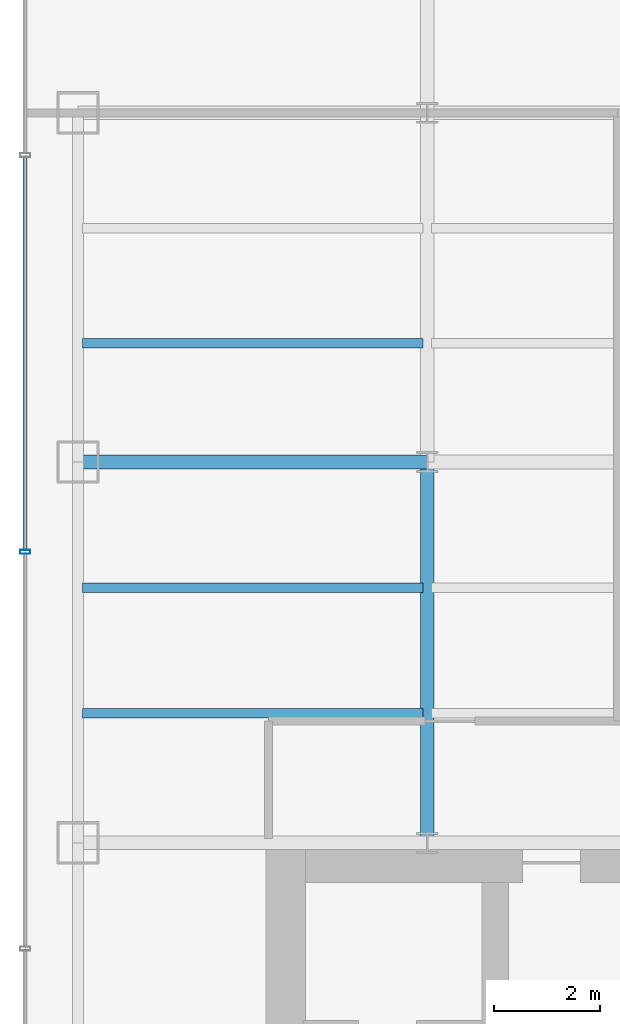
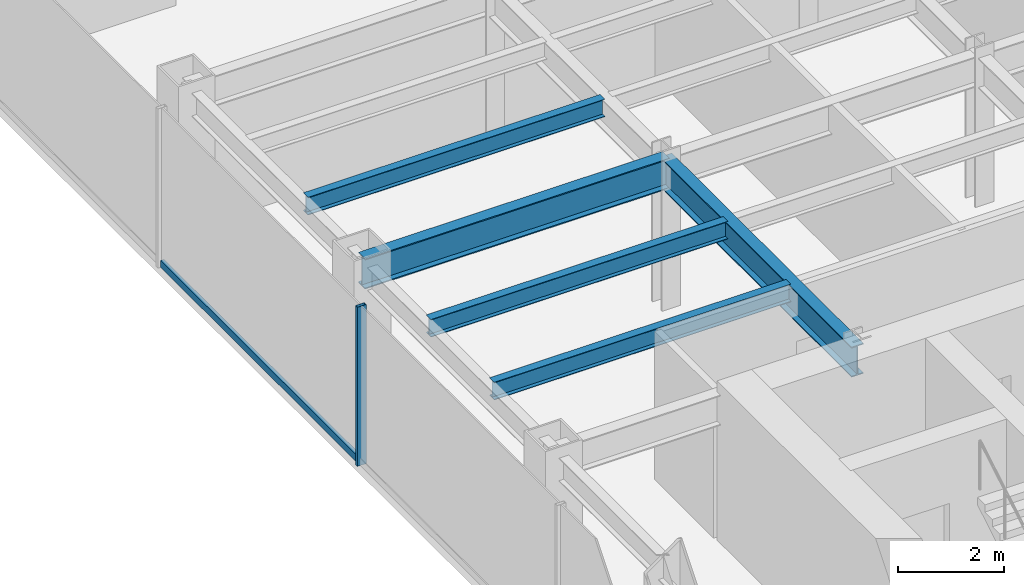
# One storey, part 4 of 26: 5 beams, 2 members, 1 element without a shape of its own.
"""IFC4 building model written with IfcOpenShell, lengths in metres."""

import ifcopenshell
import ifcopenshell.guid

model = None  # the IFC model being written
_history = None  # IfcOwnerHistory: only IFC2X3 demands one
_inside = {}  # id of a spatial element -> (the spatial element, [elements in it])
_under = {}  # id of a project, library or spatial element -> (it, [spatial elements below it])
_declared = {}  # id of a project -> (the project, [libraries it declares])
_typed = {}  # id of a type object -> (the type object, [elements of that type])
_made_of = {}  # id of a material, layer set ... -> (it, [elements and type objects made of it])


def new_model(schema):
    """Start an empty IFC model of exactly this schema.

    Asked for "IFC4X3", IfcOpenShell would pick the latest addendum, in which some entities
    have other attributes; the version numbers below select the first issue.
    IFC2X3 requires an IfcOwnerHistory on every rooted entity: one is made here for all.
    """
    global model, _history
    if schema == "IFC4X3":
        model = ifcopenshell.file(schema_version=(4, 3, 0, 0))
    else:
        model = ifcopenshell.file(schema=schema)
    _inside.clear()
    _under.clear()
    _declared.clear()
    _typed.clear()
    _made_of.clear()
    _history = None
    if model.schema == "IFC2X3":
        org = make("IfcOrganization", Name="unknown")
        user = make(
            "IfcPersonAndOrganization",
            ThePerson=make("IfcPerson", FamilyName="unknown"),
            TheOrganization=org,
        )
        app = make(
            "IfcApplication",
            ApplicationDeveloper=org,
            Version="unknown",
            ApplicationFullName="unknown",
            ApplicationIdentifier="unknown",
        )
        _history = make(
            "IfcOwnerHistory",
            OwningUser=user,
            OwningApplication=app,
            ChangeAction="ADDED",
            CreationDate=0,
        )
    return model


def make(cls, **values):
    """One entity of the class cls with the attributes given. An attribute that is None is left unset."""
    return model.create_entity(
        cls, **{name: value for name, value in values.items() if value is not None}
    )


def rooted(cls, **values):
    """An entity with a GlobalId (a new one), such as an element, a storey or a relation."""
    return make(cls, GlobalId=ifcopenshell.guid.new(), OwnerHistory=_history, **values)


def si_unit(unit_type, name, prefix=None):
    """IfcSIUnit, for example si_unit("LENGTHUNIT", "METRE", prefix="MILLI")."""
    return make("IfcSIUnit", UnitType=unit_type, Prefix=prefix, Name=name)


def derived_unit(unit_type, elements):
    """IfcDerivedUnit: a product of units, each with its exponent."""
    return make(
        "IfcDerivedUnit",
        Elements=[
            make("IfcDerivedUnitElement", Unit=unit, Exponent=power)
            for unit, power in elements
        ],
        UnitType=unit_type,
    )


def assignment(units):
    """IfcUnitAssignment: the units of a project."""
    return None if units is None else make("IfcUnitAssignment", Units=units)


def point(xyz):
    """IfcCartesianPoint."""
    return None if xyz is None else make("IfcCartesianPoint", Coordinates=xyz)


def direction(xyz):
    """IfcDirection."""
    return None if xyz is None else make("IfcDirection", DirectionRatios=xyz)


def frame(location, z_axis=None, x_axis=None):
    """IfcAxis2Placement3D, a coordinate frame: its origin and axes. An axis left out is left unset."""
    return make(
        "IfcAxis2Placement3D",
        Location=point(location),
        Axis=direction(z_axis),
        RefDirection=direction(x_axis),
    )


def frame_2d(location, x_axis=None):
    """IfcAxis2Placement2D, a coordinate frame in the plane: its origin and x axis."""
    return make(
        "IfcAxis2Placement2D", Location=point(location), RefDirection=direction(x_axis)
    )


def origin():
    """The frame at (0, 0, 0) with its axes left unset."""
    return frame((0.0, 0.0, 0.0))


def origin_2d():
    """The frame at (0, 0) in the plane with its x axis left unset."""
    return frame_2d((0.0, 0.0))


def place(relative_to, where):
    """IfcLocalPlacement: puts the frame where relative to a parent placement (None: the world)."""
    return make(
        "IfcLocalPlacement", PlacementRelTo=relative_to, RelativePlacement=where
    )


def context(
    kind, dimensions, precision=None, world=None, true_north=None, identifier=None
):
    """IfcGeometricRepresentationContext, for example the 3D "Model" context."""
    return make(
        "IfcGeometricRepresentationContext",
        ContextIdentifier=identifier,
        ContextType=kind,
        CoordinateSpaceDimension=dimensions,
        Precision=precision,
        WorldCoordinateSystem=world,
        TrueNorth=true_north,
    )


def subcontext(parent, identifier, kind, view, scale=None):
    """IfcGeometricRepresentationSubContext, for example "Body" below "Model"."""
    return make(
        "IfcGeometricRepresentationSubContext",
        ContextIdentifier=identifier,
        ContextType=kind,
        ParentContext=parent,
        TargetScale=scale,
        TargetView=view,
    )


def project(units=None, contexts=None):
    """IfcProject with its units and contexts."""
    return rooted(
        "IfcProject",
        Name="project",
        RepresentationContexts=contexts,
        UnitsInContext=assignment(units),
    )


def spatial(cls, under=None, at=None, **own):
    """A site, building, storey or space (cls), placed at a placement, below another one or the project."""
    s = rooted(cls, ObjectPlacement=at, **own)
    if under is not None:
        _under.setdefault(under.id(), (under, []))[1].append(s)
    return s


def profile(cls, at=None, kind="AREA", **sizes):
    """A parametric profile (cls). Its sizes go by their IFC names, for example OverallWidth=200.0."""
    return make(cls, ProfileType=kind, Position=at, **sizes)


def hollow_rectangle(**sizes):
    """IfcRectangleHollowProfileDef."""
    return profile("IfcRectangleHollowProfileDef", **sizes)


def i_section(**sizes):
    """IfcIShapeProfileDef."""
    return profile("IfcIShapeProfileDef", **sizes)


def extrude(swept, where, along, depth):
    """IfcExtrudedAreaSolid: the profile swept, set in the frame where, extruded along a direction by depth."""
    return make(
        "IfcExtrudedAreaSolid",
        SweptArea=swept,
        Position=where,
        ExtrudedDirection=direction(along),
        Depth=depth,
    )


def shape(context_of_items, identifier, shape_type, items):
    """IfcShapeRepresentation: the items that make up one representation, for example the "Body"."""
    return make(
        "IfcShapeRepresentation",
        ContextOfItems=context_of_items,
        RepresentationIdentifier=identifier,
        RepresentationType=shape_type,
        Items=items,
    )


def source(mapping_origin, context_of_items, identifier, shape_type, items):
    """IfcRepresentationMap: a shape defined once, which mapped items show again and again."""
    return make(
        "IfcRepresentationMap",
        MappingOrigin=mapping_origin,
        MappedRepresentation=shape(context_of_items, identifier, shape_type, items),
    )


def transform(
    local_origin,
    x_axis=None,
    y_axis=None,
    z_axis=None,
    scale=None,
    scale2=None,
    scale3=None,
    uniform=True,
):
    """IfcCartesianTransformationOperator3D, or its non-uniform kind. x_axis, y_axis, z_axis: its Axis1, 2, 3."""
    if uniform:
        return make(
            "IfcCartesianTransformationOperator3D",
            Axis1=direction(x_axis),
            Axis2=direction(y_axis),
            LocalOrigin=point(local_origin),
            Scale=scale,
            Axis3=direction(z_axis),
        )
    return make(
        "IfcCartesianTransformationOperator3DnonUniform",
        Axis1=direction(x_axis),
        Axis2=direction(y_axis),
        LocalOrigin=point(local_origin),
        Scale=scale,
        Axis3=direction(z_axis),
        Scale2=scale2,
        Scale3=scale3,
    )


def mapped(mapping_source, mapping_target):
    """IfcMappedItem: shows the shape of a source again, moved by a transform."""
    return make(
        "IfcMappedItem", MappingSource=mapping_source, MappingTarget=mapping_target
    )


def material(Name=None, Category=None):
    """IfcMaterial."""
    return make("IfcMaterial", Name=Name, Category=Category)


def material_profile(
    of_material, cross_section, Name=None, Category=None, Priority=None
):
    """IfcMaterialProfile: a cross section and its material."""
    return make(
        "IfcMaterialProfile",
        Name=Name,
        Material=of_material,
        Profile=cross_section,
        Priority=Priority,
        Category=Category,
    )


def profile_set(profiles, Name=None, composite=None):
    """IfcMaterialProfileSet."""
    return make(
        "IfcMaterialProfileSet",
        Name=Name,
        MaterialProfiles=profiles,
        CompositeProfile=composite,
    )


def made_of(thing, what):
    """Note that an element or type object is made of a material, layer set ...; save() writes the relation."""
    if what is not None:
        _made_of.setdefault(what.id(), (what, []))[1].append(thing)
    return thing


def type_object(cls, material=None, **own):
    """A type object (cls), such as IfcWallType, which elements share."""
    return made_of(rooted(cls, **own), material)


def element(
    cls,
    number,
    at=None,
    inside=None,
    cuts=None,
    type_object=None,
    material=None,
    context=None,
    identifier="Body",
    shape_type=None,
    held_by="IfcProductDefinitionShape",
    body=None,
    shapes=None,
    **own,
):
    """One element of the class cls, such as IfcWall. Its Tag is "e" and its number.

    at: its placement. inside: the storey or other place that contains it. cuts: it is an
    opening in that element (IfcRelVoidsElement). A single representation is given by context,
    identifier, shape_type and body (its items); several are given by shapes. held_by: the class
    of the entity that holds the representations. save() writes the other relations.
    """
    e = rooted(cls, Tag="e%d" % number, ObjectPlacement=at, **own)
    if body is not None:
        shapes = [shape(context, identifier, shape_type, body)]
    if shapes is not None:
        e.Representation = make(held_by, Representations=shapes)
    if inside is not None:
        _inside.setdefault(inside.id(), (inside, []))[1].append(e)
    if cuts is not None:
        rooted(
            "IfcRelVoidsElement", RelatingBuildingElement=cuts, RelatedOpeningElement=e
        )
    if type_object is not None:
        _typed.setdefault(type_object.id(), (type_object, []))[1].append(e)
    return made_of(e, material)


def aggregate(whole, parts):
    """IfcRelAggregates: a whole, such as a stair, and the parts it consists of."""
    return rooted("IfcRelAggregates", RelatingObject=whole, RelatedObjects=parts)


def save(model, path):
    """Write the relations noted so far, then the file.

    IfcRelAggregates (storeys below a building ...), IfcRelContainedInSpatialStructure (elements
    in a storey), IfcRelDefinesByType, IfcRelAssociatesMaterial and IfcRelDeclares: one each for
    every whole, place, type object, material and project.
    """
    for whole, parts in _under.values():
        aggregate(whole, parts)
    for where, things in _inside.values():
        rooted(
            "IfcRelContainedInSpatialStructure",
            RelatedElements=things,
            RelatingStructure=where,
        )
    for kind, things in _typed.values():
        rooted("IfcRelDefinesByType", RelatedObjects=things, RelatingType=kind)
    for what, things in _made_of.values():
        rooted("IfcRelAssociatesMaterial", RelatedObjects=things, RelatingMaterial=what)
    for by, libraries in _declared.values():
        rooted("IfcRelDeclares", RelatingContext=by, RelatedDefinitions=libraries)
    model.write(path)


model = new_model("IFC4")

# Units and contexts
model_context = context("Model", 3, precision=1e-05, world=origin(), true_north=direction((0.0, 1.0)))
body_context = subcontext(model_context, "Body", "Model", "MODEL_VIEW")
ifc_project = project(units=[si_unit("LENGTHUNIT", "METRE"), si_unit("AREAUNIT", "SQUARE_METRE"), si_unit("VOLUMEUNIT", "CUBIC_METRE"), si_unit("PLANEANGLEUNIT", "RADIAN"), si_unit("MASSUNIT", "GRAM", prefix="KILO"), derived_unit("THERMALTRANSMITTANCEUNIT", [(si_unit("POWERUNIT", "WATT"), 1), (si_unit("LENGTHUNIT", "METRE"), -2), (si_unit("THERMODYNAMICTEMPERATUREUNIT", "KELVIN"), -1)])], contexts=[model_context])

# Site, building, storey
site_placement = place(None, origin())
site = spatial("IfcSite", under=ifc_project, at=site_placement, CompositionType="ELEMENT")
building_placement = place(site_placement, origin())
building = spatial("IfcBuilding", under=site, at=building_placement, Name="Skarnbrae Concourse Arena and Tower", CompositionType="ELEMENT")
storey_placement = place(building_placement, frame((0.0, 0.0, 110.550048828125)))
storey = spatial("IfcBuildingStorey", under=building, at=storey_placement, Name="L27", CompositionType="ELEMENT", Elevation=110.550048828125)

# Beams
ifc_material_1 = material(Name="Steel CSA G40.21 350W", Category="steel")
ifc_material_profile_1 = material_profile(ifc_material_1, i_section(OverallWidth=0.256103515625, OverallDepth=0.693115234375, WebThickness=0.014404296875, FlangeThickness=0.023681640625, at=origin_2d()), Name="W690X170")
ifc_profile_set_1 = profile_set([ifc_material_profile_1], Name="Steel CSA G40.21 350W")
beam_type_1 = type_object("IfcBeamType", Name="BM-GIRD-W690X170", PredefinedType="BEAM", material=ifc_profile_set_1)
shared_shape_1 = source(origin(), body_context, "Body", "SweptSolid", [
    extrude(i_section(OverallWidth=0.256103515625, OverallDepth=0.693115234375, WebThickness=0.014404296875, FlangeThickness=0.023681640625, at=origin_2d()), origin(), (0.0, 0.0, 1.0), 6.60009765625),
])
beam_1_placement = place(storey_placement, frame((1.0, 21.199951171875, 3.053466796875), z_axis=(1.0, 0.0, 0.0), x_axis=(0.0, 1.0, 0.0)))
element("IfcBeam", 1, at=beam_1_placement, inside=storey, type_object=beam_type_1, Name="L27 Primary E-W girder Y21.2-1", PredefinedType="BEAM", context=body_context, shape_type="MappedRepresentation", body=[
    mapped(shared_shape_1, transform((0.0, 0.0, 0.0))),
])
shared_shape_2 = source(origin(), body_context, "Body", "SweptSolid", [
    extrude(i_section(OverallWidth=0.256103515625, OverallDepth=0.693115234375, WebThickness=0.014404296875, FlangeThickness=0.023681640625, at=origin_2d()), origin(), (0.0, 0.0, 1.0), 7.199951171875),
])
beam_2_placement = place(storey_placement, frame((7.60009765625, 14.0, 3.053466796875), z_axis=(0.0, 1.0, 0.0), x_axis=(-1.0, 0.0, 0.0)))
element("IfcBeam", 2, at=beam_2_placement, inside=storey, type_object=beam_type_1, Name="L27 Primary N-S girder X7.6-1", PredefinedType="BEAM", context=body_context, shape_type="MappedRepresentation", body=[
    mapped(shared_shape_2, transform((0.0, 0.0, 0.0))),
])
ifc_material_profile_2 = material_profile(ifc_material_1, i_section(OverallWidth=0.177978515625, OverallDepth=0.406982421875, WebThickness=0.0078125, FlangeThickness=0.0126953125, at=origin_2d()), Name="W410X60")
ifc_profile_set_2 = profile_set([ifc_material_profile_2], Name="Steel CSA G40.21 350W")
beam_type_2 = type_object("IfcBeamType", Name="BM-JOIST-W410X60", PredefinedType="JOIST", material=ifc_profile_set_2)
shared_shape_3 = source(origin(), body_context, "Body", "SweptSolid", [
    extrude(i_section(OverallWidth=0.177978515625, OverallDepth=0.406982421875, WebThickness=0.0078125, FlangeThickness=0.0126953125, at=origin_2d()), origin(), (0.0, 0.0, 1.0), 6.43994140625),
])
for number, where, z_axis, x_axis, name in (
    (3, (1.080078125, 16.447998046875, 3.196533203125), (1.0, 0.0, 0.0), (0.0, 1.0, 0.0), "L27 Secondary floor joist 1.1.1"),
    (4, (1.080078125, 18.823974609375, 3.196533203125), (1.0, 0.0, 0.0), (0.0, 1.0, 0.0), "L27 Secondary floor joist 1.2.1"),
    (5, (1.080078125, 23.444091796875, 3.196533203125), (1.0, 0.0, 0.0), (0.0, 1.0, 0.0), "L27 Secondary floor joist 2.1.1"),
):
    element("IfcBeam", number, at=place(storey_placement, frame(where, z_axis=z_axis, x_axis=x_axis)), inside=storey, type_object=beam_type_2, Name=name, PredefinedType="JOIST", context=body_context, shape_type="MappedRepresentation", body=[
        mapped(shared_shape_3, transform((0.0, 0.0, 0.0))),
    ])

# Curtain wall, members
ifc_material_2 = material(Name="Bronze anodised aluminium 6063-T6", Category="aluminium")
curtain_wall_type = type_object("IfcCurtainWallType", Name="CW-SYS-04-MIDZONE", PredefinedType="USERDEFINED", material=ifc_material_2)
curtain_wall_placement = place(storey_placement, origin())
curtain_wall = element("IfcCurtainWall", 6, at=curtain_wall_placement, inside=storey, type_object=curtain_wall_type, Name="L27 Unitised curtain wall CW-L27-E19", ObjectType="UNITISED CURTAIN WALL", PredefinedType="USERDEFINED")
ifc_material_profile_3 = material_profile(ifc_material_2, hollow_rectangle(XDim=0.074951171875, YDim=0.159912109375, WallThickness=0.00439453125, at=origin_2d()), Name="ALU-TRAN-75X160")
ifc_profile_set_3 = profile_set([ifc_material_profile_3], Name="Bronze anodised aluminium 6063-T6")
member_type_1 = type_object("IfcMemberType", Name="CWT-CW-04", PredefinedType="USERDEFINED", material=ifc_profile_set_3)
shared_shape_4 = source(origin(), body_context, "Body", "SweptSolid", [
    extrude(hollow_rectangle(XDim=0.074951171875, YDim=0.159912109375, WallThickness=0.00439453125, at=origin_2d()), origin(), (0.0, 0.0, 1.0), 7.4248046875),
])
member_1_placement = place(storey_placement, frame((0.0, 26.96240234375, 0.079833984375), z_axis=(0.0, -1.0, 0.0), x_axis=(1.0, 0.0, 0.0)))
member_1 = element("IfcMember", 7, at=member_1_placement, type_object=member_type_1, Name="CW-L27-E19 Transom 2", ObjectType="TRANSOM", PredefinedType="USERDEFINED", context=body_context, shape_type="MappedRepresentation", body=[
    mapped(shared_shape_4, transform((0.0, 0.0, 0.0))),
])
ifc_material_profile_4 = material_profile(ifc_material_2, hollow_rectangle(XDim=0.074951171875, YDim=0.195068359375, WallThickness=0.00439453125, at=origin_2d()), Name="ALU-MULL-75X195")
ifc_profile_set_4 = profile_set([ifc_material_profile_4], Name="Bronze anodised aluminium 6063-T6")
member_type_2 = type_object("IfcMemberType", Name="CWM-CW-04", PredefinedType="MULLION", material=ifc_profile_set_4)
shared_shape_5 = source(origin(), body_context, "Body", "SweptSolid", [
    extrude(hollow_rectangle(XDim=0.074951171875, YDim=0.195068359375, WallThickness=0.00439453125, at=origin_2d()), origin(), (0.0, 0.0, 1.0), 3.64990234375),
])
member_2_placement = place(storey_placement, frame((0.0, 19.5, 0.0), z_axis=(0.0, 0.0, 1.0), x_axis=(0.0, -1.0, 0.0)))
member_2 = element("IfcMember", 8, at=member_2_placement, type_object=member_type_2, Name="CW-L27-E19 Mullion 3", PredefinedType="MULLION", context=body_context, shape_type="MappedRepresentation", body=[
    mapped(shared_shape_5, transform((0.0, 0.0, 0.0))),
])
aggregate(curtain_wall, [member_2, member_1])

save(model, "model.ifc")
